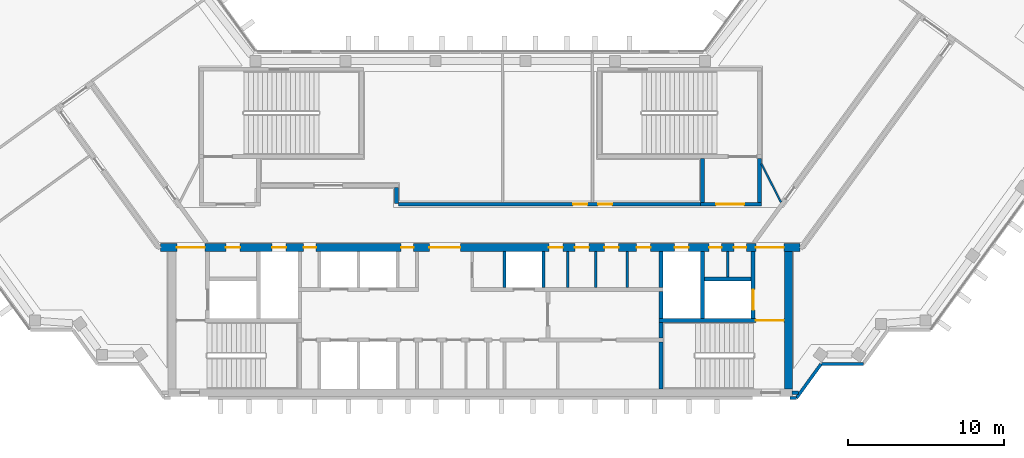
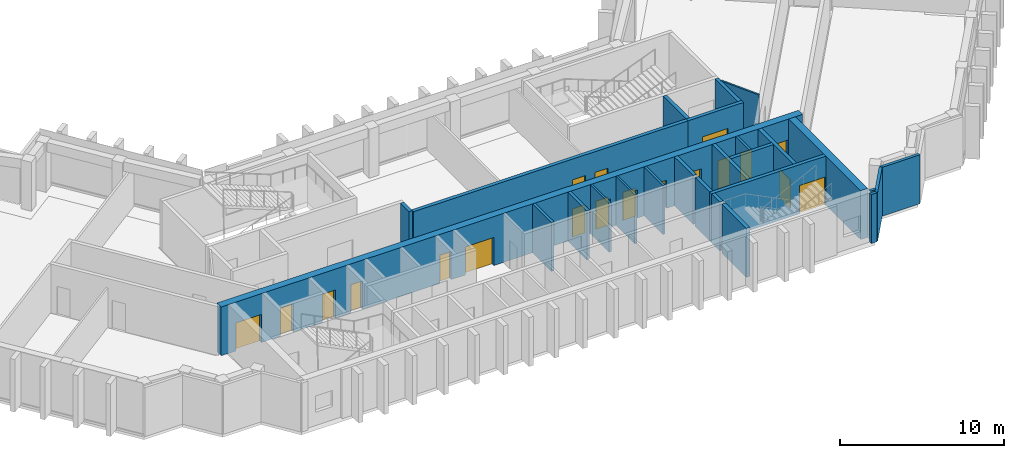
# One storey, part 5 of 8: 26 walls, 19 doors, 19 openings.
"""IFC4 building model written with IfcOpenShell, lengths in metres."""

from ifc_helpers import new_model, si_unit, direction, frame, frame_2d, origin, place, context, subcontext, project, spatial, rectangle, extrude, material, layer, layer_set, type_object, element, fill, save


model = new_model("IFC4")

# Units and contexts
model_context = context("Model", 3, precision=1e-05, world=origin(), true_north=direction((0.0, 1.0)))
body_context = subcontext(model_context, "Body", "Model", "MODEL_VIEW")
ifc_project = project(units=[si_unit("LENGTHUNIT", "METRE"), si_unit("AREAUNIT", "SQUARE_METRE"), si_unit("VOLUMEUNIT", "CUBIC_METRE"), si_unit("PLANEANGLEUNIT", "RADIAN"), si_unit("MASSUNIT", "GRAM", prefix="KILO")], contexts=[model_context])

# Site, building, storey
site_placement = place(None, origin())
site = spatial("IfcSite", under=ifc_project, at=site_placement, CompositionType="ELEMENT")
building_placement = place(site_placement, origin())
building = spatial("IfcBuilding", under=site, at=building_placement, Name="Quipu Civic Tower", CompositionType="ELEMENT")
storey_placement = place(building_placement, frame((0.0, 0.0, 289.0)))
storey = spatial("IfcBuildingStorey", under=building, at=storey_placement, Name="L67", CompositionType="ELEMENT", Elevation=289.0)

# Walls
ifc_material_1 = material(Name="Concrete C70/85", Category="concrete")
ifc_layer_1 = layer(ifc_material_1, 0.25)
ifc_layer_set_1 = layer_set([ifc_layer_1], Name="Concrete C70/85")
wall_type_1 = type_object("IfcWallType", Name="Core wall 250", PredefinedType="SHEAR", material=ifc_layer_set_1)
wall_1_placement = place(storey_placement, frame((11.574951171875, -10.5, 0.0), z_axis=(0.0, 0.0, 1.0), x_axis=(0.0, 1.0, 0.0)))
element("IfcWall", 1, at=wall_1_placement, inside=storey, type_object=wall_type_1, Name="Core wall", PredefinedType="SHEAR", context=body_context, shape_type="SweptSolid", body=[
    extrude(rectangle(XDim=3.0, YDim=0.25, at=frame_2d((1.5, 0.0))), origin(), (0.0, 0.0, 1.0), 3.64990234375),
])
wall_2_placement = place(storey_placement, frame((11.574951171875, -7.25, 0.0), z_axis=(0.0, 0.0, 1.0), x_axis=(0.0, 1.0, 0.0)))
element("IfcWall", 2, at=wall_2_placement, inside=storey, type_object=wall_type_1, Name="Core wall", PredefinedType="SHEAR", context=body_context, shape_type="SweptSolid", body=[
    extrude(rectangle(XDim=1.0, YDim=0.25, at=frame_2d((0.5, 0.0))), origin(), (0.0, 0.0, 1.0), 3.64990234375),
])

# Wall, opening, door
wall_3_placement = place(storey_placement, frame((19.5, -6.125, 0.0), z_axis=(0.0, 0.0, 1.0), x_axis=(-1.0, 0.0, 0.0)))
wall_3 = element("IfcWall", 3, at=wall_3_placement, inside=storey, type_object=wall_type_1, Name="Core wall", PredefinedType="SHEAR", context=body_context, shape_type="SweptSolid", body=[
    extrude(rectangle(XDim=8.050048828125, YDim=0.25, at=frame_2d((4.02490234375, 0.0))), origin(), (0.0, 0.0, 1.0), 3.64990234375),
])
opening_1_placement = place(wall_3_placement, frame((0.050048828125, 0.0, 0.0)))
opening_1 = element("IfcOpeningElement", 4, at=opening_1_placement, cuts=wall_3, Name="Opening CD-10", PredefinedType="OPENING", context=body_context, shape_type="SweptSolid", body=[
    extrude(rectangle(XDim=1.800048828125, YDim=2.10009765625, at=frame_2d((0.89990234375, 1.050048828125))), frame((0.0, 0.135009765625, 0.0), z_axis=(0.0, -1.0, 0.0), x_axis=(1.0, 0.0, 0.0)), (0.0, 0.0, 1.0), 0.27001953125),
])
ifc_material_2 = material(Name="Fire rated steel door", Category="steel")
door_type_1 = type_object("IfcDoorType", Name="Fire door FD90 double 1800 x 2100", OperationType="NOTDEFINED", PredefinedType="DOOR", material=ifc_material_2)
door_1_placement = place(opening_1_placement, origin())
door_1 = element("IfcDoor", 5, at=door_1_placement, inside=storey, type_object=door_type_1, Name="Door", OperationType="DOUBLE_DOOR_SINGLE_SWING", OverallHeight=2.10009765625, OverallWidth=1.800048828125, PredefinedType="DOOR", context=body_context, shape_type="SweptSolid", body=[
    extrude(rectangle(XDim=1.800048828125, YDim=2.10009765625, at=frame_2d((0.89990234375, 1.050048828125))), frame((0.0, 0.02490234375, 0.0), z_axis=(0.0, -1.0, 0.0), x_axis=(1.0, 0.0, 0.0)), (0.0, 0.0, 1.0), 0.050048828125),
])
fill(opening_1, door_1)

# Walls
wall_4_placement = place(storey_placement, frame((11.574951171875, -6.0, 0.0), z_axis=(0.0, 0.0, 1.0), x_axis=(0.0, 1.0, 0.0)))
element("IfcWall", 6, at=wall_4_placement, inside=storey, type_object=wall_type_1, Name="Core wall", PredefinedType="SHEAR", context=body_context, shape_type="SweptSolid", body=[
    extrude(rectangle(XDim=1.75, YDim=0.25, at=frame_2d((0.875, 0.0))), origin(), (0.0, 0.0, 1.0), 3.64990234375),
])
wall_5_placement = place(storey_placement, frame((14.22509765625, -6.0, 0.0), z_axis=(0.0, 0.0, 1.0), x_axis=(0.0, 1.0, 0.0)))
element("IfcWall", 7, at=wall_5_placement, inside=storey, type_object=wall_type_1, Name="Core wall", PredefinedType="SHEAR", context=body_context, shape_type="SweptSolid", body=[
    extrude(rectangle(XDim=4.300048828125, YDim=0.25, at=frame_2d((2.14990234375, 0.0))), origin(), (0.0, 0.0, 1.0), 3.64990234375),
])

# Wall, opening, door
wall_6_placement = place(storey_placement, frame((17.47509765625, -6.0, 0.0), z_axis=(0.0, 0.0, 1.0), x_axis=(0.0, 1.0, 0.0)))
wall_6 = element("IfcWall", 8, at=wall_6_placement, inside=storey, type_object=wall_type_1, Name="Core wall", PredefinedType="SHEAR", context=body_context, shape_type="SweptSolid", body=[
    extrude(rectangle(XDim=4.300048828125, YDim=0.25, at=frame_2d((2.14990234375, 0.0))), origin(), (0.0, 0.0, 1.0), 3.64990234375),
])
opening_2_placement = place(wall_6_placement, frame((0.550048828125, 0.0, 0.0)))
opening_2 = element("IfcOpeningElement", 9, at=opening_2_placement, cuts=wall_6, Name="Opening LD-FF2", PredefinedType="OPENING", context=body_context, shape_type="SweptSolid", body=[
    extrude(rectangle(XDim=1.300048828125, YDim=2.10009765625, at=frame_2d((0.64990234375, 1.050048828125))), frame((0.0, 0.135009765625, 0.0), z_axis=(0.0, -1.0, 0.0), x_axis=(1.0, 0.0, 0.0)), (0.0, 0.0, 1.0), 0.27001953125),
])
ifc_material_3 = material(Name="Stainless steel", Category="steel")
door_type_2 = type_object("IfcDoorType", Name="Lift landing door 1300 x 2100", OperationType="DOUBLE_DOOR_SLIDING", PredefinedType="DOOR", material=ifc_material_3)
door_2_placement = place(opening_2_placement, origin())
door_2 = element("IfcDoor", 10, at=door_2_placement, inside=storey, type_object=door_type_2, Name="Landing door FF2", OperationType="DOUBLE_DOOR_SLIDING", OverallHeight=2.10009765625, OverallWidth=1.300048828125, PredefinedType="DOOR", context=body_context, shape_type="SweptSolid", body=[
    extrude(rectangle(XDim=1.300048828125, YDim=2.10009765625, at=frame_2d((0.64990234375, 1.050048828125))), frame((0.0, 0.02490234375, 0.0), z_axis=(0.0, -1.0, 0.0), x_axis=(1.0, 0.0, 0.0)), (0.0, 0.0, 1.0), 0.050048828125),
])
fill(opening_2, door_2)

# Walls
wall_7_placement = place(storey_placement, frame((11.574951171875, -4.0, 0.0), z_axis=(0.0, 0.0, 1.0), x_axis=(0.0, 1.0, 0.0)))
element("IfcWall", 11, at=wall_7_placement, inside=storey, type_object=wall_type_1, Name="Core wall", PredefinedType="SHEAR", context=body_context, shape_type="SweptSolid", body=[
    extrude(rectangle(XDim=2.300048828125, YDim=0.25, at=frame_2d((1.14990234375, 0.0))), origin(), (0.0, 0.0, 1.0), 3.64990234375),
])
wall_8_placement = place(storey_placement, frame((14.35009765625, -3.47509765625, 0.0), z_axis=(0.0, 0.0, 1.0), x_axis=(1.0, 0.0, 0.0)))
element("IfcWall", 12, at=wall_8_placement, inside=storey, type_object=wall_type_1, Name="Core wall", PredefinedType="SHEAR", context=body_context, shape_type="SweptSolid", body=[
    extrude(rectangle(XDim=3.0, YDim=0.25, at=frame_2d((1.5, 0.0))), origin(), (0.0, 0.0, 1.0), 3.64990234375),
])

# Wall, opening, door
wall_9_placement = place(storey_placement, frame((14.10009765625, 1.324951171875, 0.0), z_axis=(0.0, 0.0, 1.0), x_axis=(1.0, 0.0, 0.0)))
wall_9 = element("IfcWall", 13, at=wall_9_placement, inside=storey, type_object=wall_type_1, Name="Core wall", PredefinedType="SHEAR", context=body_context, shape_type="SweptSolid", body=[
    extrude(rectangle(XDim=3.89990234375, YDim=0.25, at=frame_2d((1.949951171875, 0.0))), origin(), (0.0, 0.0, 1.0), 3.64990234375),
])
opening_3_placement = place(wall_9_placement, frame((1.0, 0.0, 0.0)))
opening_3 = element("IfcOpeningElement", 14, at=opening_3_placement, cuts=wall_9, Name="Opening CD-29", PredefinedType="OPENING", context=body_context, shape_type="SweptSolid", body=[
    extrude(rectangle(XDim=1.800048828125, YDim=2.10009765625, at=frame_2d((0.89990234375, 1.050048828125))), frame((0.0, 0.135009765625, 0.0), z_axis=(0.0, -1.0, 0.0), x_axis=(1.0, 0.0, 0.0)), (0.0, 0.0, 1.0), 0.27001953125),
])
door_3_placement = place(opening_3_placement, origin())
door_3 = element("IfcDoor", 15, at=door_3_placement, inside=storey, type_object=door_type_1, Name="Lobby door", OperationType="DOUBLE_DOOR_SINGLE_SWING", OverallHeight=2.10009765625, OverallWidth=1.800048828125, PredefinedType="DOOR", context=body_context, shape_type="SweptSolid", body=[
    extrude(rectangle(XDim=1.800048828125, YDim=2.10009765625, at=frame_2d((0.89990234375, 1.050048828125))), frame((0.0, 0.02490234375, 0.0), z_axis=(0.0, -1.0, 0.0), x_axis=(1.0, 0.0, 0.0)), (0.0, 0.0, 1.0), 0.050048828125),
])
fill(opening_3, door_3)

# Walls
for number, where, z_axis, x_axis, name in (
    (16, (14.22509765625, 1.449951171875, 0.0), (0.0, 0.0, 1.0), (0.0, 1.0, 0.0), "Core wall"),
    (17, (17.875, 1.449951171875, 0.0), (0.0, 0.0, 1.0), (0.0, 1.0, 0.0), "Core wall"),
):
    element("IfcWall", number, at=place(storey_placement, frame(where, z_axis=z_axis, x_axis=x_axis)), inside=storey, type_object=wall_type_1, Name=name, PredefinedType="SHEAR", context=body_context, shape_type="SweptSolid", body=[
        extrude(rectangle(XDim=2.800048828125, YDim=0.25, at=frame_2d((1.39990234375, 0.0))), origin(), (0.0, 0.0, 1.0), 3.64990234375),
    ])
ifc_material_4 = material(Name="Concrete C70/85", Category="concrete")
ifc_layer_2 = layer(ifc_material_4, 0.5)
ifc_layer_set_2 = layer_set([ifc_layer_2], Name="Concrete C70/85")
wall_type_2 = type_object("IfcWallType", Name="Core wall 500", PredefinedType="SHEAR", material=ifc_layer_set_2)
wall_10_placement = place(storey_placement, frame((19.75, -10.5, 0.0), z_axis=(0.0, 0.0, 1.0), x_axis=(0.0, 1.0, 0.0)))
element("IfcWall", 18, at=wall_10_placement, inside=storey, type_object=wall_type_2, Name="Core wall", PredefinedType="SHEAR", context=body_context, shape_type="SweptSolid", body=[
    extrude(rectangle(XDim=8.800048828125, YDim=0.5, at=frame_2d((4.39990234375, 0.0))), origin(), (0.0, 0.0, 1.0), 3.64990234375),
])

# Wall, openings, doors
wall_11_placement = place(storey_placement, frame((20.489990234375, -1.449951171875, 0.0), z_axis=(0.0, 0.0, 1.0), x_axis=(-1.0, 0.0, 0.0)))
wall_11 = element("IfcWall", 19, at=wall_11_placement, inside=storey, type_object=wall_type_2, Name="Core wall", PredefinedType="SHEAR", context=body_context, shape_type="SweptSolid", body=[
    extrude(rectangle(XDim=40.97998046875, YDim=0.5, at=frame_2d((20.489990234375, 0.0))), origin(), (0.0, 0.0, 1.0), 3.64990234375),
])
opening_4_placement = place(wall_11_placement, frame((38.139892578125, 0.0, 0.0)))
opening_4 = element("IfcOpeningElement", 20, at=opening_4_placement, cuts=wall_11, Name="Opening CD-13", PredefinedType="OPENING", context=body_context, shape_type="SweptSolid", body=[
    extrude(rectangle(XDim=1.800048828125, YDim=2.10009765625, at=frame_2d((0.89990234375, 1.050048828125))), frame((0.0, 0.260009765625, 0.0), z_axis=(0.0, -1.0, 0.0), x_axis=(1.0, 0.0, 0.0)), (0.0, 0.0, 1.0), 0.52001953125),
])
opening_5_placement = place(wall_11_placement, frame((35.889892578125, 0.0, 0.0)))
opening_5 = element("IfcOpeningElement", 21, at=opening_5_placement, cuts=wall_11, Name="Opening CD-14", PredefinedType="OPENING", context=body_context, shape_type="SweptSolid", body=[
    extrude(rectangle(XDim=0.89990234375, YDim=2.10009765625, at=frame_2d((0.449951171875, 1.050048828125))), frame((0.0, 0.260009765625, 0.0), z_axis=(0.0, -1.0, 0.0), x_axis=(1.0, 0.0, 0.0)), (0.0, 0.0, 1.0), 0.52001953125),
])
opening_6_placement = place(wall_11_placement, frame((32.93994140625, 0.0, 0.0)))
opening_6 = element("IfcOpeningElement", 22, at=opening_6_placement, cuts=wall_11, Name="Opening CD-15", PredefinedType="OPENING", context=body_context, shape_type="SweptSolid", body=[
    extrude(rectangle(XDim=0.89990234375, YDim=2.10009765625, at=frame_2d((0.449951171875, 1.050048828125))), frame((0.0, 0.260009765625, 0.0), z_axis=(0.0, -1.0, 0.0), x_axis=(1.0, 0.0, 0.0)), (0.0, 0.0, 1.0), 0.52001953125),
])
opening_7_placement = place(wall_11_placement, frame((31.014892578125, 0.0, 0.0)))
opening_7 = element("IfcOpeningElement", 23, at=opening_7_placement, cuts=wall_11, Name="Opening CD-16", PredefinedType="OPENING", context=body_context, shape_type="SweptSolid", body=[
    extrude(rectangle(XDim=0.800048828125, YDim=2.10009765625, at=frame_2d((0.39990234375, 1.050048828125))), frame((0.0, 0.260009765625, 0.0), z_axis=(0.0, -1.0, 0.0), x_axis=(1.0, 0.0, 0.0)), (0.0, 0.0, 1.0), 0.52001953125),
])
opening_8_placement = place(wall_11_placement, frame((24.764892578125, 0.0, 0.0)))
opening_8 = element("IfcOpeningElement", 24, at=opening_8_placement, cuts=wall_11, Name="Opening CD-17", PredefinedType="OPENING", context=body_context, shape_type="SweptSolid", body=[
    extrude(rectangle(XDim=0.800048828125, YDim=2.10009765625, at=frame_2d((0.39990234375, 1.050048828125))), frame((0.0, 0.260009765625, 0.0), z_axis=(0.0, -1.0, 0.0), x_axis=(1.0, 0.0, 0.0)), (0.0, 0.0, 1.0), 0.52001953125),
])
opening_9_placement = place(wall_11_placement, frame((21.764892578125, 0.0, 0.0)))
opening_9 = element("IfcOpeningElement", 25, at=opening_9_placement, cuts=wall_11, Name="Opening CD-18", PredefinedType="OPENING", context=body_context, shape_type="SweptSolid", body=[
    extrude(rectangle(XDim=2.0, YDim=2.10009765625, at=frame_2d((1.0, 1.050048828125))), frame((0.0, 0.260009765625, 0.0), z_axis=(0.0, -1.0, 0.0), x_axis=(1.0, 0.0, 0.0)), (0.0, 0.0, 1.0), 0.52001953125),
])
opening_10_placement = place(wall_11_placement, frame((15.202392578125, 0.0, 0.0)))
opening_10 = element("IfcOpeningElement", 26, at=opening_10_placement, cuts=wall_11, Name="Opening CD-19", PredefinedType="OPENING", context=body_context, shape_type="SweptSolid", body=[
    extrude(rectangle(XDim=0.89990234375, YDim=2.10009765625, at=frame_2d((0.449951171875, 1.050048828125))), frame((0.0, 0.260009765625, 0.0), z_axis=(0.0, -1.0, 0.0), x_axis=(1.0, 0.0, 0.0)), (0.0, 0.0, 1.0), 0.52001953125),
])
opening_11_placement = place(wall_11_placement, frame((13.5400390625, 0.0, 0.0)))
opening_11 = element("IfcOpeningElement", 27, at=opening_11_placement, cuts=wall_11, Name="Opening CD-20", PredefinedType="OPENING", context=body_context, shape_type="SweptSolid", body=[
    extrude(rectangle(XDim=0.89990234375, YDim=2.10009765625, at=frame_2d((0.449951171875, 1.050048828125))), frame((0.0, 0.260009765625, 0.0), z_axis=(0.0, -1.0, 0.0), x_axis=(1.0, 0.0, 0.0)), (0.0, 0.0, 1.0), 0.52001953125),
])
opening_12_placement = place(wall_11_placement, frame((11.639892578125, 0.0, 0.0)))
opening_12 = element("IfcOpeningElement", 28, at=opening_12_placement, cuts=wall_11, Name="Opening CD-21", PredefinedType="OPENING", context=body_context, shape_type="SweptSolid", body=[
    extrude(rectangle(XDim=0.89990234375, YDim=2.10009765625, at=frame_2d((0.449951171875, 1.050048828125))), frame((0.0, 0.260009765625, 0.0), z_axis=(0.0, -1.0, 0.0), x_axis=(1.0, 0.0, 0.0)), (0.0, 0.0, 1.0), 0.52001953125),
])
opening_13_placement = place(wall_11_placement, frame((9.577392578125, 0.0, 0.0)))
opening_13 = element("IfcOpeningElement", 29, at=opening_13_placement, cuts=wall_11, Name="Opening CD-22", PredefinedType="OPENING", context=body_context, shape_type="SweptSolid", body=[
    extrude(rectangle(XDim=0.89990234375, YDim=2.10009765625, at=frame_2d((0.449951171875, 1.050048828125))), frame((0.0, 0.260009765625, 0.0), z_axis=(0.0, -1.0, 0.0), x_axis=(1.0, 0.0, 0.0)), (0.0, 0.0, 1.0), 0.52001953125),
])
opening_14_placement = place(wall_11_placement, frame((7.139892578125, 0.0, 0.0)))
opening_14 = element("IfcOpeningElement", 30, at=opening_14_placement, cuts=wall_11, Name="Opening CD-23", PredefinedType="OPENING", context=body_context, shape_type="SweptSolid", body=[
    extrude(rectangle(XDim=0.89990234375, YDim=2.10009765625, at=frame_2d((0.449951171875, 1.050048828125))), frame((0.0, 0.260009765625, 0.0), z_axis=(0.0, -1.0, 0.0), x_axis=(1.0, 0.0, 0.0)), (0.0, 0.0, 1.0), 0.52001953125),
])
opening_15_placement = place(wall_11_placement, frame((5.027587890625, 0.0, 0.0)))
opening_15 = element("IfcOpeningElement", 31, at=opening_15_placement, cuts=wall_11, Name="Opening CD-24", PredefinedType="OPENING", context=body_context, shape_type="SweptSolid", body=[
    extrude(rectangle(XDim=0.800048828125, YDim=2.10009765625, at=frame_2d((0.39990234375, 1.050048828125))), frame((0.0, 0.260009765625, 0.0), z_axis=(0.0, -1.0, 0.0), x_axis=(1.0, 0.0, 0.0)), (0.0, 0.0, 1.0), 0.52001953125),
])
opening_16_placement = place(wall_11_placement, frame((3.452392578125, 0.0, 0.0)))
opening_16 = element("IfcOpeningElement", 32, at=opening_16_placement, cuts=wall_11, Name="Opening CD-25", PredefinedType="OPENING", context=body_context, shape_type="SweptSolid", body=[
    extrude(rectangle(XDim=0.800048828125, YDim=2.10009765625, at=frame_2d((0.39990234375, 1.050048828125))), frame((0.0, 0.260009765625, 0.0), z_axis=(0.0, -1.0, 0.0), x_axis=(1.0, 0.0, 0.0)), (0.0, 0.0, 1.0), 0.52001953125),
])
opening_17_placement = place(wall_11_placement, frame((1.0400390625, 0.0, 0.0)))
opening_17 = element("IfcOpeningElement", 33, at=opening_17_placement, cuts=wall_11, Name="Opening CD-26", PredefinedType="OPENING", context=body_context, shape_type="SweptSolid", body=[
    extrude(rectangle(XDim=1.800048828125, YDim=2.10009765625, at=frame_2d((0.89990234375, 1.050048828125))), frame((0.0, 0.260009765625, 0.0), z_axis=(0.0, -1.0, 0.0), x_axis=(1.0, 0.0, 0.0)), (0.0, 0.0, 1.0), 0.52001953125),
])
ifc_material_5 = material(Name="Fire rated steel door", Category="steel")
door_type_3 = type_object("IfcDoorType", Name="Fire door FD60 800 x 2100", OperationType="NOTDEFINED", PredefinedType="DOOR", material=ifc_material_5)
door_4_placement = place(opening_7_placement, origin())
door_4 = element("IfcDoor", 34, at=door_4_placement, inside=storey, type_object=door_type_3, Name="Door", OperationType="SINGLE_SWING_RIGHT", OverallHeight=2.10009765625, OverallWidth=0.800048828125, PredefinedType="DOOR", context=body_context, shape_type="SweptSolid", body=[
    extrude(rectangle(XDim=0.800048828125, YDim=2.10009765625, at=frame_2d((0.39990234375, 1.050048828125))), frame((0.0, 0.02490234375, 0.0), z_axis=(0.0, -1.0, 0.0), x_axis=(1.0, 0.0, 0.0)), (0.0, 0.0, 1.0), 0.050048828125),
])
fill(opening_7, door_4)
door_5_placement = place(opening_8_placement, origin())
door_5 = element("IfcDoor", 35, at=door_5_placement, inside=storey, type_object=door_type_3, Name="Door", OperationType="SINGLE_SWING_RIGHT", OverallHeight=2.10009765625, OverallWidth=0.800048828125, PredefinedType="DOOR", context=body_context, shape_type="SweptSolid", body=[
    extrude(rectangle(XDim=0.800048828125, YDim=2.10009765625, at=frame_2d((0.39990234375, 1.050048828125))), frame((0.0, 0.02490234375, 0.0), z_axis=(0.0, -1.0, 0.0), x_axis=(1.0, 0.0, 0.0)), (0.0, 0.0, 1.0), 0.050048828125),
])
fill(opening_8, door_5)
door_6_placement = place(opening_15_placement, origin())
door_6 = element("IfcDoor", 36, at=door_6_placement, inside=storey, type_object=door_type_3, Name="Door", OperationType="SINGLE_SWING_LEFT", OverallHeight=2.10009765625, OverallWidth=0.800048828125, PredefinedType="DOOR", context=body_context, shape_type="SweptSolid", body=[
    extrude(rectangle(XDim=0.800048828125, YDim=2.10009765625, at=frame_2d((0.39990234375, 1.050048828125))), frame((0.0, 0.02490234375, 0.0), z_axis=(0.0, -1.0, 0.0), x_axis=(1.0, 0.0, 0.0)), (0.0, 0.0, 1.0), 0.050048828125),
])
fill(opening_15, door_6)
door_7_placement = place(opening_16_placement, origin())
door_7 = element("IfcDoor", 37, at=door_7_placement, inside=storey, type_object=door_type_3, Name="Door", OperationType="SINGLE_SWING_LEFT", OverallHeight=2.10009765625, OverallWidth=0.800048828125, PredefinedType="DOOR", context=body_context, shape_type="SweptSolid", body=[
    extrude(rectangle(XDim=0.800048828125, YDim=2.10009765625, at=frame_2d((0.39990234375, 1.050048828125))), frame((0.0, 0.02490234375, 0.0), z_axis=(0.0, -1.0, 0.0), x_axis=(1.0, 0.0, 0.0)), (0.0, 0.0, 1.0), 0.050048828125),
])
fill(opening_16, door_7)
ifc_material_6 = material(Name="Fire rated steel door", Category="steel")
door_type_4 = type_object("IfcDoorType", Name="Fire door FD60 900 x 2100", OperationType="NOTDEFINED", PredefinedType="DOOR", material=ifc_material_6)
door_8_placement = place(opening_5_placement, origin())
door_8 = element("IfcDoor", 38, at=door_8_placement, inside=storey, type_object=door_type_4, Name="Door", OperationType="SINGLE_SWING_RIGHT", OverallHeight=2.10009765625, OverallWidth=0.89990234375, PredefinedType="DOOR", context=body_context, shape_type="SweptSolid", body=[
    extrude(rectangle(XDim=0.89990234375, YDim=2.10009765625, at=frame_2d((0.449951171875, 1.050048828125))), frame((0.0, 0.02490234375, 0.0), z_axis=(0.0, -1.0, 0.0), x_axis=(1.0, 0.0, 0.0)), (0.0, 0.0, 1.0), 0.050048828125),
])
fill(opening_5, door_8)
door_9_placement = place(opening_6_placement, origin())
door_9 = element("IfcDoor", 39, at=door_9_placement, inside=storey, type_object=door_type_4, Name="Riser door", OperationType="SINGLE_SWING_RIGHT", OverallHeight=2.10009765625, OverallWidth=0.89990234375, PredefinedType="DOOR", context=body_context, shape_type="SweptSolid", body=[
    extrude(rectangle(XDim=0.89990234375, YDim=2.10009765625, at=frame_2d((0.449951171875, 1.050048828125))), frame((0.0, 0.02490234375, 0.0), z_axis=(0.0, -1.0, 0.0), x_axis=(1.0, 0.0, 0.0)), (0.0, 0.0, 1.0), 0.050048828125),
])
fill(opening_6, door_9)
door_10_placement = place(opening_10_placement, origin())
door_10 = element("IfcDoor", 40, at=door_10_placement, inside=storey, type_object=door_type_4, Name="Door", OperationType="SINGLE_SWING_LEFT", OverallHeight=2.10009765625, OverallWidth=0.89990234375, PredefinedType="DOOR", context=body_context, shape_type="SweptSolid", body=[
    extrude(rectangle(XDim=0.89990234375, YDim=2.10009765625, at=frame_2d((0.449951171875, 1.050048828125))), frame((0.0, 0.02490234375, 0.0), z_axis=(0.0, -1.0, 0.0), x_axis=(1.0, 0.0, 0.0)), (0.0, 0.0, 1.0), 0.050048828125),
])
fill(opening_10, door_10)
door_11_placement = place(opening_11_placement, origin())
door_11 = element("IfcDoor", 41, at=door_11_placement, inside=storey, type_object=door_type_4, Name="Door", OperationType="SINGLE_SWING_LEFT", OverallHeight=2.10009765625, OverallWidth=0.89990234375, PredefinedType="DOOR", context=body_context, shape_type="SweptSolid", body=[
    extrude(rectangle(XDim=0.89990234375, YDim=2.10009765625, at=frame_2d((0.449951171875, 1.050048828125))), frame((0.0, 0.02490234375, 0.0), z_axis=(0.0, -1.0, 0.0), x_axis=(1.0, 0.0, 0.0)), (0.0, 0.0, 1.0), 0.050048828125),
])
fill(opening_11, door_11)
door_12_placement = place(opening_12_placement, origin())
door_12 = element("IfcDoor", 42, at=door_12_placement, inside=storey, type_object=door_type_4, Name="Door", OperationType="SINGLE_SWING_LEFT", OverallHeight=2.10009765625, OverallWidth=0.89990234375, PredefinedType="DOOR", context=body_context, shape_type="SweptSolid", body=[
    extrude(rectangle(XDim=0.89990234375, YDim=2.10009765625, at=frame_2d((0.449951171875, 1.050048828125))), frame((0.0, 0.02490234375, 0.0), z_axis=(0.0, -1.0, 0.0), x_axis=(1.0, 0.0, 0.0)), (0.0, 0.0, 1.0), 0.050048828125),
])
fill(opening_12, door_12)
door_13_placement = place(opening_13_placement, origin())
door_13 = element("IfcDoor", 43, at=door_13_placement, inside=storey, type_object=door_type_4, Name="Door", OperationType="SINGLE_SWING_LEFT", OverallHeight=2.10009765625, OverallWidth=0.89990234375, PredefinedType="DOOR", context=body_context, shape_type="SweptSolid", body=[
    extrude(rectangle(XDim=0.89990234375, YDim=2.10009765625, at=frame_2d((0.449951171875, 1.050048828125))), frame((0.0, 0.02490234375, 0.0), z_axis=(0.0, -1.0, 0.0), x_axis=(1.0, 0.0, 0.0)), (0.0, 0.0, 1.0), 0.050048828125),
])
fill(opening_13, door_13)
door_14_placement = place(opening_14_placement, origin())
door_14 = element("IfcDoor", 44, at=door_14_placement, inside=storey, type_object=door_type_4, Name="Riser door", OperationType="SINGLE_SWING_LEFT", OverallHeight=2.10009765625, OverallWidth=0.89990234375, PredefinedType="DOOR", context=body_context, shape_type="SweptSolid", body=[
    extrude(rectangle(XDim=0.89990234375, YDim=2.10009765625, at=frame_2d((0.449951171875, 1.050048828125))), frame((0.0, 0.02490234375, 0.0), z_axis=(0.0, -1.0, 0.0), x_axis=(1.0, 0.0, 0.0)), (0.0, 0.0, 1.0), 0.050048828125),
])
fill(opening_14, door_14)
door_15_placement = place(opening_4_placement, origin())
door_15 = element("IfcDoor", 45, at=door_15_placement, inside=storey, type_object=door_type_1, Name="Lobby door", OperationType="DOUBLE_DOOR_SINGLE_SWING", OverallHeight=2.10009765625, OverallWidth=1.800048828125, PredefinedType="DOOR", context=body_context, shape_type="SweptSolid", body=[
    extrude(rectangle(XDim=1.800048828125, YDim=2.10009765625, at=frame_2d((0.89990234375, 1.050048828125))), frame((0.0, 0.02490234375, 0.0), z_axis=(0.0, -1.0, 0.0), x_axis=(1.0, 0.0, 0.0)), (0.0, 0.0, 1.0), 0.050048828125),
])
fill(opening_4, door_15)
door_16_placement = place(opening_17_placement, origin())
door_16 = element("IfcDoor", 46, at=door_16_placement, inside=storey, type_object=door_type_1, Name="Lobby door", OperationType="DOUBLE_DOOR_SINGLE_SWING", OverallHeight=2.10009765625, OverallWidth=1.800048828125, PredefinedType="DOOR", context=body_context, shape_type="SweptSolid", body=[
    extrude(rectangle(XDim=1.800048828125, YDim=2.10009765625, at=frame_2d((0.89990234375, 1.050048828125))), frame((0.0, 0.02490234375, 0.0), z_axis=(0.0, -1.0, 0.0), x_axis=(1.0, 0.0, 0.0)), (0.0, 0.0, 1.0), 0.050048828125),
])
fill(opening_17, door_16)
ifc_material_7 = material(Name="Fire rated steel door", Category="steel")
door_type_5 = type_object("IfcDoorType", Name="Fire door FD90 double 2000 x 2100", OperationType="NOTDEFINED", PredefinedType="DOOR", material=ifc_material_7)
door_17_placement = place(opening_9_placement, origin())
door_17 = element("IfcDoor", 47, at=door_17_placement, inside=storey, type_object=door_type_5, Name="Lobby door", OperationType="DOUBLE_DOOR_SINGLE_SWING", OverallHeight=2.10009765625, OverallWidth=2.0, PredefinedType="DOOR", context=body_context, shape_type="SweptSolid", body=[
    extrude(rectangle(XDim=2.0, YDim=2.10009765625, at=frame_2d((1.0, 1.050048828125))), frame((0.0, 0.02490234375, 0.0), z_axis=(0.0, -1.0, 0.0), x_axis=(1.0, 0.0, 0.0)), (0.0, 0.0, 1.0), 0.050048828125),
])
fill(opening_9, door_17)

# Wall
ifc_material_8 = material(Name="Concrete C50/60", Category="concrete")
ifc_layer_3 = layer(ifc_material_8, 0.25)
ifc_layer_set_3 = layer_set([ifc_layer_3], Name="Concrete C50/60")
wall_type_3 = type_object("IfcWallType", Name="Corridor wall 250 concrete", PredefinedType="SOLIDWALL", material=ifc_layer_set_3)
wall_12_placement = place(storey_placement, frame((-5.375, 2.39990234375, 0.0), z_axis=(0.0, 0.0, 1.0), x_axis=(0.0, -1.0, 0.0)))
element("IfcWall", 48, at=wall_12_placement, inside=storey, type_object=wall_type_3, Name="Corridor wall C08", PredefinedType="SOLIDWALL", context=body_context, shape_type="SweptSolid", body=[
    extrude(rectangle(XDim=1.041259765625, YDim=0.25, at=frame_2d((0.5205078125, 0.0))), origin(), (0.0, 0.0, 1.0), 3.64990234375),
])

# Wall, openings, doors
wall_13_placement = place(storey_placement, frame((-5.246337890625, 1.324951171875, 0.0), z_axis=(0.0, 0.0, 1.0), x_axis=(1.0, 0.0, 0.0)))
wall_13 = element("IfcWall", 49, at=wall_13_placement, inside=storey, type_object=wall_type_3, Name="Corridor wall C09", PredefinedType="SOLIDWALL", context=body_context, shape_type="SweptSolid", body=[
    extrude(rectangle(XDim=19.33642578125, YDim=0.25, at=frame_2d((9.668212890625, 0.0))), origin(), (0.0, 0.0, 1.0), 3.64990234375),
])
opening_18_placement = place(wall_13_placement, frame((11.1943359375, 0.0, 0.0)))
opening_18 = element("IfcOpeningElement", 50, at=opening_18_placement, cuts=wall_13, Name="Opening D005", PredefinedType="OPENING", context=body_context, shape_type="SweptSolid", body=[
    extrude(rectangle(XDim=0.89990234375, YDim=2.10009765625, at=frame_2d((0.449951171875, 1.050048828125))), frame((0.0, 0.135009765625, 0.0), z_axis=(0.0, -1.0, 0.0), x_axis=(1.0, 0.0, 0.0)), (0.0, 0.0, 1.0), 0.27001953125),
])
opening_19_placement = place(wall_13_placement, frame((12.794189453125, 0.0, 0.0)))
opening_19 = element("IfcOpeningElement", 51, at=opening_19_placement, cuts=wall_13, Name="Opening D006", PredefinedType="OPENING", context=body_context, shape_type="SweptSolid", body=[
    extrude(rectangle(XDim=0.89990234375, YDim=2.10009765625, at=frame_2d((0.449951171875, 1.050048828125))), frame((0.0, 0.135009765625, 0.0), z_axis=(0.0, -1.0, 0.0), x_axis=(1.0, 0.0, 0.0)), (0.0, 0.0, 1.0), 0.27001953125),
])
ifc_material_9 = material(Name="Fire rated timber door set with metal frame", Category="wood")
door_type_6 = type_object("IfcDoorType", Name="Single door 900 x 2100 FD60", OperationType="NOTDEFINED", PredefinedType="DOOR", material=ifc_material_9)
door_18_placement = place(opening_18_placement, origin())
door_18 = element("IfcDoor", 52, at=door_18_placement, inside=storey, type_object=door_type_6, Name="Door D005", OperationType="SINGLE_SWING_RIGHT", OverallHeight=2.10009765625, OverallWidth=0.89990234375, PredefinedType="DOOR", context=body_context, shape_type="SweptSolid", body=[
    extrude(rectangle(XDim=0.89990234375, YDim=2.10009765625, at=frame_2d((0.449951171875, 1.050048828125))), frame((0.0, 0.02490234375, 0.0), z_axis=(0.0, -1.0, 0.0), x_axis=(1.0, 0.0, 0.0)), (0.0, 0.0, 1.0), 0.050048828125),
])
fill(opening_18, door_18)
door_19_placement = place(opening_19_placement, origin())
door_19 = element("IfcDoor", 53, at=door_19_placement, inside=storey, type_object=door_type_6, Name="Door D006", OperationType="SINGLE_SWING_LEFT", OverallHeight=2.10009765625, OverallWidth=0.89990234375, PredefinedType="DOOR", context=body_context, shape_type="SweptSolid", body=[
    extrude(rectangle(XDim=0.89990234375, YDim=2.10009765625, at=frame_2d((0.449951171875, 1.050048828125))), frame((0.0, 0.02490234375, 0.0), z_axis=(0.0, -1.0, 0.0), x_axis=(1.0, 0.0, 0.0)), (0.0, 0.0, 1.0), 0.050048828125),
])
fill(opening_19, door_19)

# Walls
ifc_material_10 = material(Name="Gypsum plasterboard on light gauge framing")
ifc_layer_4 = layer(ifc_material_10, 0.1201171875)
ifc_layer_set_4 = layer_set([ifc_layer_4], Name="Gypsum plasterboard on light gauge framing")
wall_type_4 = type_object("IfcWallType", Name="Partition 120 plasterboard", PredefinedType="PARTITIONING", material=ifc_layer_set_4)
wall_14_placement = place(storey_placement, frame((18.0, 3.925048828125, 0.0), z_axis=(0.0, 0.0, 1.0), x_axis=(0.453950796792, -0.891026752736, 0.0)))
element("IfcWall", 54, at=wall_14_placement, inside=storey, type_object=wall_type_4, Name="Partition P08", PredefinedType="PARTITIONING", context=body_context, shape_type="SweptSolid", body=[
    extrude(rectangle(XDim=2.77783203125, YDim=0.1201171875, at=frame_2d((1.388916015625, 0.0))), origin(), (0.0, 0.0, 1.0), 3.64990234375),
])
ifc_material_11 = material(Name="Gypsum board partition")
ifc_layer_5 = layer(ifc_material_11, 0.14990234375)
ifc_layer_set_5 = layer_set([ifc_layer_5], Name="Gypsum board partition")
wall_type_5 = type_object("IfcWallType", Name="Partition 150", PredefinedType="PARTITIONING", material=ifc_layer_set_5)
for number, where, z_axis, x_axis, name in (
    (55, (5.60009765625, -4.0, 0.0), (0.0, 0.0, 1.0), (0.0, 1.0, 0.0), "Partition"),
    (56, (7.39990234375, -4.0, 0.0), (0.0, 0.0, 1.0), (0.0, 1.0, 0.0), "Partition"),
    (57, (9.39990234375, -4.0, 0.0), (0.0, 0.0, 1.0), (0.0, 1.0, 0.0), "Partition"),
):
    element("IfcWall", number, at=place(storey_placement, frame(where, z_axis=z_axis, x_axis=x_axis)), inside=storey, type_object=wall_type_5, Name=name, PredefinedType="PARTITIONING", context=body_context, shape_type="SweptSolid", body=[
        extrude(rectangle(XDim=2.300048828125, YDim=0.14990234375, at=frame_2d((1.14990234375, 0.0))), origin(), (0.0, 0.0, 1.0), 3.64990234375),
    ])
wall_15_placement = place(storey_placement, frame((15.85009765625, -3.35009765625, 0.0), z_axis=(0.0, 0.0, 1.0), x_axis=(0.0, 1.0, 0.0)))
element("IfcWall", 58, at=wall_15_placement, inside=storey, type_object=wall_type_5, Name="Partition", PredefinedType="PARTITIONING", context=body_context, shape_type="SweptSolid", body=[
    extrude(rectangle(XDim=1.650146484375, YDim=0.14990234375, at=frame_2d((0.8251953125, 0.0))), origin(), (0.0, 0.0, 1.0), 3.64990234375),
])
ifc_material_12 = material(Name="Precast concrete C40/50", Category="concrete")
wall_type_6 = type_object("IfcWallType", Name="Precast cladding wall", PredefinedType="SOLIDWALL", material=ifc_material_12)
wall_16_placement = place(storey_placement, frame((19.85009765625, -11.087890625, 0.0), z_axis=(0.0, 0.0, 1.0), x_axis=(1.0, 0.0, 0.0)))
element("IfcWall", 59, at=wall_16_placement, inside=storey, type_object=wall_type_6, Name="Precast cladding wall L67 P19", PredefinedType="SOLIDWALL", context=body_context, shape_type="SweptSolid", body=[
    extrude(rectangle(XDim=0.40576171875, YDim=0.199951171875, at=frame_2d((0.202880859375, 0.0))), origin(), (0.0, 0.0, 1.0), 3.64990234375),
])
wall_17_placement = place(storey_placement, frame((20.253173828125, -11.083251953125, 0.0), z_axis=(0.0, 0.0, 1.0), x_axis=(0.587766567315, 0.809030569476, 0.0)))
element("IfcWall", 60, at=wall_17_placement, inside=storey, type_object=wall_type_6, Name="Precast cladding wall L67 P20", PredefinedType="SOLIDWALL", context=body_context, shape_type="SweptSolid", body=[
    extrude(rectangle(XDim=2.687744140625, YDim=0.199951171875, at=frame_2d((1.34375, 0.0))), origin(), (0.0, 0.0, 1.0), 3.64990234375),
])
wall_18_placement = place(storey_placement, frame((21.8427734375, -8.90380859375, 0.0), z_axis=(0.0, 0.0, 1.0), x_axis=(1.0, 0.0, 0.0)))
element("IfcWall", 61, at=wall_18_placement, inside=storey, type_object=wall_type_6, Name="Precast cladding wall L67 P21", PredefinedType="SOLIDWALL", context=body_context, shape_type="SweptSolid", body=[
    extrude(rectangle(XDim=2.699951171875, YDim=0.199951171875, at=frame_2d((1.35009765625, 0.0))), origin(), (0.0, 0.0, 1.0), 3.64990234375),
])
wall_19_placement = place(storey_placement, frame((19.97998046875, -10.75, 0.0), z_axis=(0.0, 0.0, 1.0), x_axis=(1.0, 0.0, 0.0)))
element("IfcWall", 62, at=wall_19_placement, inside=storey, type_object=wall_type_6, Name="Precast cladding return L67 E", PredefinedType="SOLIDWALL", context=body_context, shape_type="SweptSolid", body=[
    extrude(rectangle(XDim=0.41650390625, YDim=0.199951171875, at=frame_2d((0.208251953125, 0.0))), origin(), (0.0, 0.0, 1.0), 3.64990234375),
])
ifc_material_13 = material(Name="Concrete C40/50", Category="concrete")
ifc_layer_6 = layer(ifc_material_13, 0.199951171875)
ifc_layer_set_6 = layer_set([ifc_layer_6], Name="Concrete C40/50")
wall_type_7 = type_object("IfcWallType", Name="Shaft wall 200", PredefinedType="SOLIDWALL", material=ifc_layer_set_6)
for number, where, z_axis, x_axis, name in (
    (63, (1.550048828125, -4.0, 0.0), (0.0, 0.0, 1.0), (0.0, 1.0, 0.0), "Shaft wall"),
    (64, (4.050048828125, -4.0, 0.0), (0.0, 0.0, 1.0), (0.0, 1.0, 0.0), "Shaft wall"),
):
    element("IfcWall", number, at=place(storey_placement, frame(where, z_axis=z_axis, x_axis=x_axis)), inside=storey, type_object=wall_type_7, Name=name, PredefinedType="SOLIDWALL", context=body_context, shape_type="SweptSolid", body=[
        extrude(rectangle(XDim=2.300048828125, YDim=0.199951171875, at=frame_2d((1.14990234375, 0.0))), origin(), (0.0, 0.0, 1.0), 3.64990234375),
    ])

save(model, "model.ifc")
